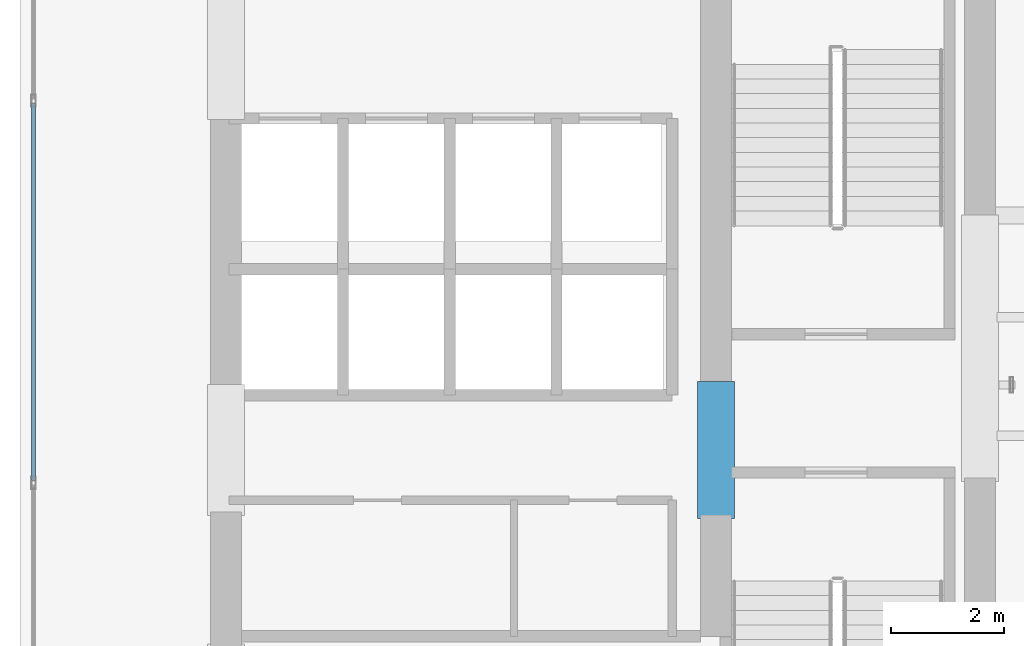
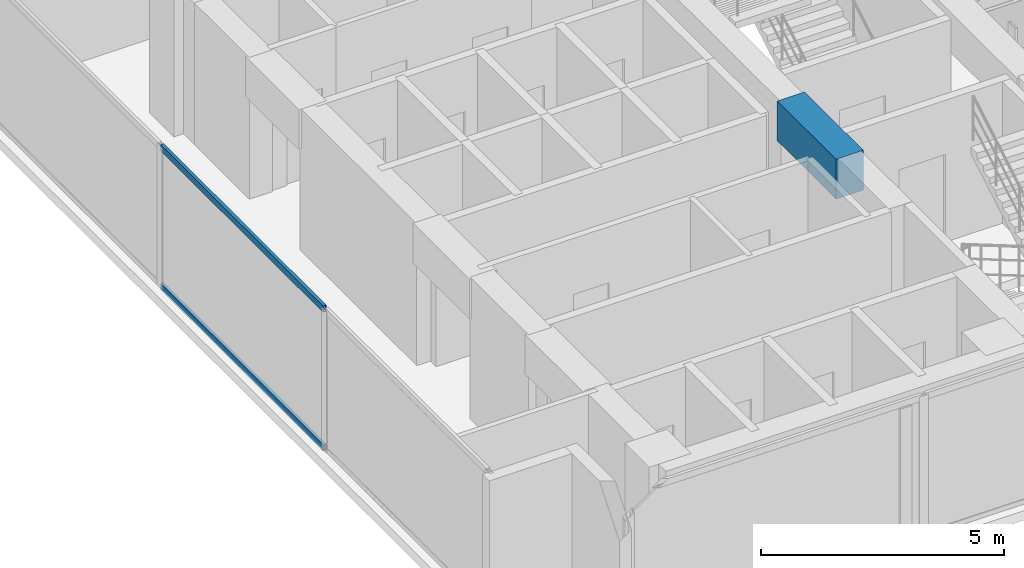
# One storey, part 3 of 23: 2 members, 1 beam, 1 element without a shape of its own.
"""IFC4 building model written with IfcOpenShell, lengths in metres."""

from ifc_helpers import new_model, si_unit, direction, frame, origin, origin_with_axes, origin_2d, place, context, subcontext, project, spatial, rectangle, hollow_rectangle, extrude, source, transform, mapped, material, layer, layer_set, material_profile, profile_set, type_object, element, aggregate, save


model = new_model("IFC4")

# Units and contexts
model_context = context("Model", 3, precision=1e-05, world=origin(), true_north=direction((0.0, 1.0)))
body_context = subcontext(model_context, "Body", "Model", "MODEL_VIEW")
ifc_project = project(units=[si_unit("LENGTHUNIT", "METRE"), si_unit("AREAUNIT", "SQUARE_METRE"), si_unit("VOLUMEUNIT", "CUBIC_METRE"), si_unit("PLANEANGLEUNIT", "RADIAN"), si_unit("MASSUNIT", "GRAM", prefix="KILO")], contexts=[model_context])

# Site, building, storey
site_placement = place(None, origin())
site = spatial("IfcSite", under=ifc_project, at=site_placement, CompositionType="ELEMENT")
building_placement = place(site_placement, origin())
building = spatial("IfcBuilding", under=site, at=building_placement, Name="Kolvaren Waterfront Exchange", CompositionType="ELEMENT")
storey_placement = place(building_placement, frame((0.0, 0.0, 227.300048828125)))
storey = spatial("IfcBuildingStorey", under=building, at=storey_placement, Name="L58", CompositionType="ELEMENT", Elevation=227.300048828125)

# Beam
ifc_material_1 = material(Name="Concrete C60/75", Category="concrete")
ifc_material_profile_1 = material_profile(ifc_material_1, rectangle(XDim=0.64990234375, YDim=1.0, at=origin_2d()), Name="RC-CB-1000x650")
ifc_profile_set_1 = profile_set([ifc_material_profile_1], Name="Concrete C60/75")
beam_type = type_object("IfcBeamType", Name="STR-CB-1000", PredefinedType="SPANDREL", material=ifc_profile_set_1)
beam_placement = place(storey_placement, frame((16.125, 12.0400390625, 3.06005859375), z_axis=(0.0, 1.0, 0.0), x_axis=(-1.0, 0.0, 0.0)))
element("IfcBeam", 1, at=beam_placement, inside=storey, type_object=beam_type, Name="L58 core coupling beam 6", PredefinedType="SPANDREL", context=body_context, shape_type="SweptSolid", body=[
    extrude(rectangle(XDim=0.64990234375, YDim=1.0, at=origin_2d()), origin(), (0.0, 0.0, 1.0), 2.419921875),
])

# Curtain wall, members
ifc_material_2 = material(Name="Anodised aluminium 6063-T6", Category="aluminium")
ifc_layer = layer(ifc_material_2, 0.219970703125, Name="Anodised aluminium 6063-T6")
ifc_layer_set = layer_set([ifc_layer], Name="Anodised aluminium 6063-T6")
curtain_wall_type = type_object("IfcCurtainWallType", Name="ARC-CW-SYS2", PredefinedType="USERDEFINED", material=ifc_layer_set)
curtain_wall_placement = place(storey_placement, origin())
curtain_wall = element("IfcCurtainWall", 2, at=curtain_wall_placement, inside=storey, type_object=curtain_wall_type, Name="L58 stick curtain wall CW2 (CW-L58-W)", ObjectType="STICK CURTAIN WALL", PredefinedType="USERDEFINED")
ifc_material_profile_2 = material_profile(ifc_material_2, hollow_rectangle(XDim=0.074951171875, YDim=0.159912109375, WallThickness=0.00439453125, at=origin_2d()), Name="ALU-TRN-160x75x4.5")
ifc_profile_set_2 = profile_set([ifc_material_profile_2], Name="Anodised aluminium 6063-T6")
member_type = type_object("IfcMemberType", Name="ARC-CWT-160", PredefinedType="USERDEFINED", material=ifc_profile_set_2)
shared_shape = source(origin_with_axes(), body_context, "Body", "SweptSolid", [
    extrude(hollow_rectangle(XDim=0.074951171875, YDim=0.159912109375, WallThickness=0.00439453125, at=origin_2d()), origin(), (0.0, 0.0, 1.0), 6.6865234375),
])
member_1_placement = place(storey_placement, frame((4.0400390625, 12.706787109375, 0.037353515625), z_axis=(0.0, 1.0, 0.0), x_axis=(-1.0, 0.0, 0.0)))
member_1 = element("IfcMember", 3, at=member_1_placement, type_object=member_type, Name="CW2 transom 2.1", ObjectType="TRANSOM", PredefinedType="USERDEFINED", context=body_context, shape_type="MappedRepresentation", body=[
    mapped(shared_shape, transform((0.0, 0.0, 0.0), x_axis=(1.0, 0.0, 0.0), y_axis=(0.0, 1.0, 0.0), z_axis=(0.0, 0.0, 1.0), scale=1.0)),
])
member_2_placement = place(storey_placement, frame((4.0400390625, 12.706787109375, 3.5224609375), z_axis=(0.0, 1.0, 0.0), x_axis=(-1.0, 0.0, 0.0)))
member_2 = element("IfcMember", 4, at=member_2_placement, type_object=member_type, Name="CW2 transom 2.2", ObjectType="TRANSOM", PredefinedType="USERDEFINED", context=body_context, shape_type="MappedRepresentation", body=[
    mapped(shared_shape, transform((0.0, 0.0, 0.0), x_axis=(1.0, 0.0, 0.0), y_axis=(0.0, 1.0, 0.0), z_axis=(0.0, 0.0, 1.0), scale=1.0)),
])
aggregate(curtain_wall, [member_1, member_2])

save(model, "model.ifc")
